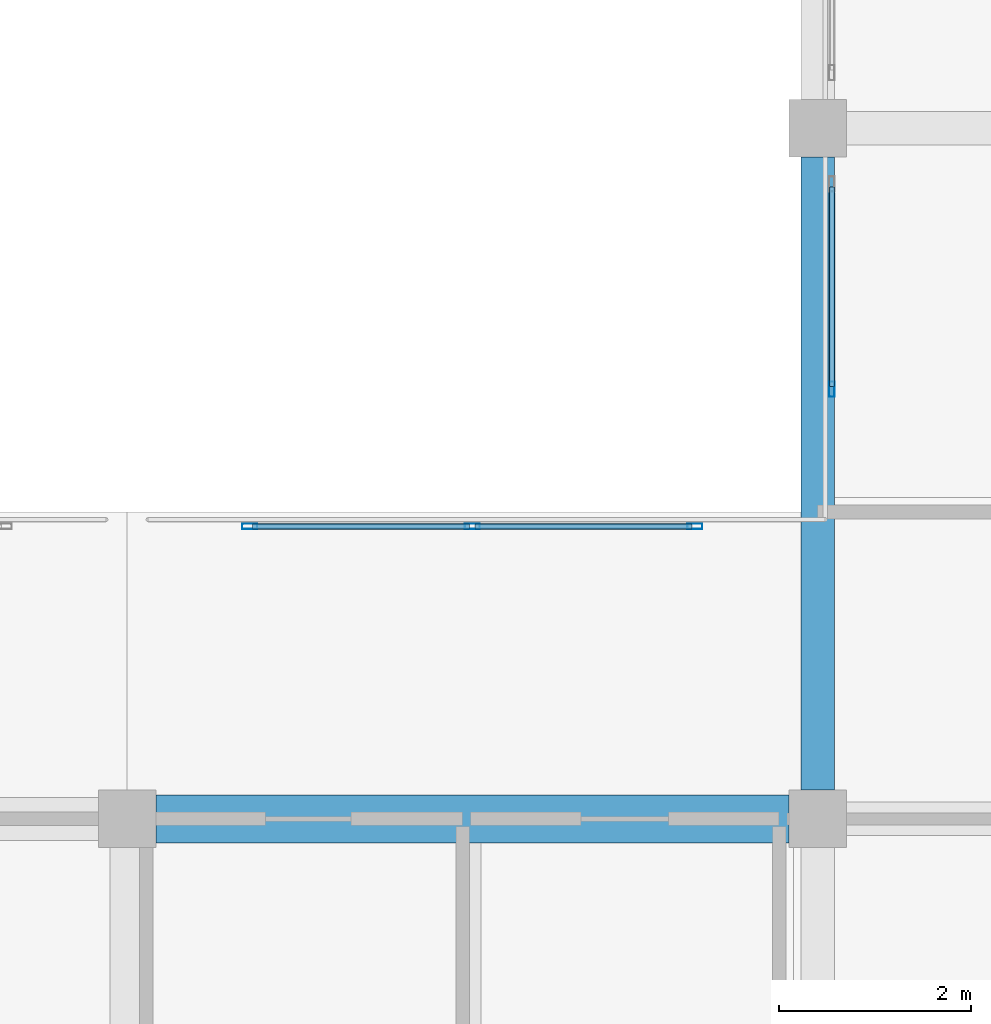
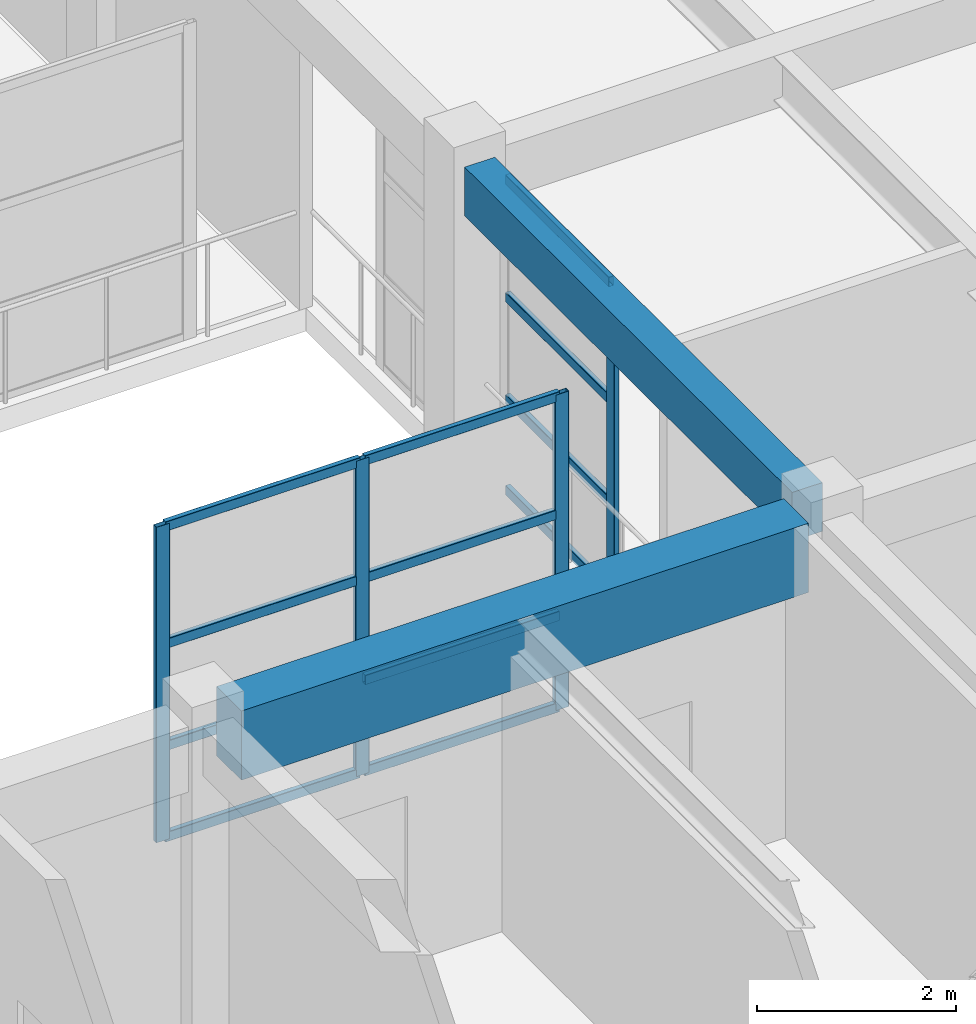
# One storey, part 16 of 49: 16 members, 2 beams, 2 elements without a shape of their own.
"""IFC4 building model written with IfcOpenShell, lengths in metres."""

from ifc_helpers import new_model, si_unit, direction, frame, origin, origin_2d, place, context, subcontext, project, spatial, rectangle, hollow_rectangle, extrude, material, material_profile, profile_set, type_object, element, aggregate, save


model = new_model("IFC4")

# Units and contexts
model_context = context("Model", 3, precision=1e-05, world=origin(), true_north=direction((0.0, 1.0)))
body_context = subcontext(model_context, "Body", "Model", "MODEL_VIEW")
ifc_project = project(units=[si_unit("LENGTHUNIT", "METRE"), si_unit("AREAUNIT", "SQUARE_METRE"), si_unit("VOLUMEUNIT", "CUBIC_METRE"), si_unit("PLANEANGLEUNIT", "RADIAN"), si_unit("MASSUNIT", "GRAM", prefix="KILO")], contexts=[model_context])

# Site, building, storey
site_placement = place(None, origin())
site = spatial("IfcSite", under=ifc_project, at=site_placement, CompositionType="ELEMENT")
building_placement = place(site_placement, origin())
building = spatial("IfcBuilding", under=site, at=building_placement, Name="Bramveld Media Centre", CompositionType="ELEMENT")
storey_placement = place(building_placement, frame((0.0, 0.0, 9.60009765625)))
storey = spatial("IfcBuildingStorey", under=building, at=storey_placement, Name="L02", CompositionType="ELEMENT", Elevation=9.60009765625)

# Beams
ifc_material_1 = material(Name="Concrete C40/50", Category="concrete")
ifc_material_profile_1 = material_profile(ifc_material_1, rectangle(XDim=0.35009765625, YDim=0.60009765625, at=origin_2d()), Name="RC 350x600")
ifc_profile_set_1 = profile_set([ifc_material_profile_1], Name="Concrete C40/50")
beam_type_1 = type_object("IfcBeamType", Name="BM-INT-RC-350x600", PredefinedType="BEAM", material=ifc_profile_set_1)
beam_1_placement = place(storey_placement, frame((94.39990234375, 97.89990234375, 3.619873046875), z_axis=(0.0, 1.0, 0.0), x_axis=(-1.0, 0.0, 0.0)))
element("IfcBeam", 1, at=beam_1_placement, inside=storey, type_object=beam_type_1, Name="V6 L02 girder Y-1105", PredefinedType="BEAM", context=body_context, shape_type="SweptSolid", body=[
    extrude(rectangle(XDim=0.35009765625, YDim=0.60009765625, at=origin_2d()), origin(), (0.0, 0.0, 1.0), 6.60009765625),
])
ifc_material_2 = material(Name="Concrete C40/50", Category="concrete")
ifc_material_profile_2 = material_profile(ifc_material_2, rectangle(XDim=0.5, YDim=0.85009765625, at=origin_2d()), Name="RC 500x850")
ifc_profile_set_2 = profile_set([ifc_material_profile_2], Name="Concrete C40/50")
beam_type_2 = type_object("IfcBeamType", Name="BM-INT-RC-500x850", PredefinedType="BEAM", material=ifc_profile_set_2)
beam_2_placement = place(storey_placement, frame((87.5, 97.60009765625, 3.494873046875), z_axis=(1.0, 0.0, 0.0), x_axis=(0.0, 1.0, 0.0)))
element("IfcBeam", 2, at=beam_2_placement, inside=storey, type_object=beam_type_2, Name="V6 L02 girder X-1073", PredefinedType="BEAM", context=body_context, shape_type="SweptSolid", body=[
    extrude(rectangle(XDim=0.5, YDim=0.85009765625, at=origin_2d()), origin(), (0.0, 0.0, 1.0), 6.60009765625),
])

# Curtain wall, members
ifc_material_3 = material(Name="Thermally broken anodized bronze aluminium unitized curtain wall with solar-control triple glazing", Category="aluminium")
curtain_wall_type_1 = type_object("IfcCurtainWallType", Name="CW-ATR-4700x3880", PredefinedType="NOTDEFINED", material=ifc_material_3)
curtain_wall_1_placement = place(storey_placement, origin())
curtain_wall_1 = element("IfcCurtainWall", 3, at=curtain_wall_1_placement, inside=storey, type_object=curtain_wall_type_1, Name="V6 L02 atrium acoustic screen S2-1", PredefinedType="NOTDEFINED")
ifc_material_4 = material(Name="Thermally broken anodized bronze aluminium EN AW-6063 T6 curtain-wall framing", Category="aluminium")
ifc_material_profile_3 = material_profile(ifc_material_4, hollow_rectangle(XDim=0.06005859375, YDim=0.159912109375, WallThickness=0.00390625, InnerFilletRadius=0.00390625, OuterFilletRadius=0.008056640625, at=origin_2d()), Name="AL-MULL 60x160")
ifc_profile_set_3 = profile_set([ifc_material_profile_3], Name="Thermally broken anodized bronze aluminium EN AW-6063 T6 curtain-wall framing")
member_type_1 = type_object("IfcMemberType", Name="CW-MULL-INT", PredefinedType="MULLION", material=ifc_profile_set_3)
member_1_placement = place(storey_placement, frame((88.47998046875, 100.64990234375, 0.0), z_axis=(0.0, 0.0, 1.0), x_axis=(0.0, 1.0, 0.0)))
member_1 = element("IfcMember", 4, at=member_1_placement, type_object=member_type_1, Name="CW-AT-4738 mullion 1", PredefinedType="MULLION", context=body_context, shape_type="SweptSolid", body=[
    extrude(hollow_rectangle(XDim=0.06005859375, YDim=0.159912109375, WallThickness=0.00390625, InnerFilletRadius=0.00390625, OuterFilletRadius=0.008056640625, at=origin_2d()), origin(), (0.0, 0.0, 1.0), 3.8798828125),
])
member_2_placement = place(storey_placement, frame((90.800048828125, 100.64990234375, 0.0), z_axis=(0.0, 0.0, 1.0), x_axis=(0.0, 1.0, 0.0)))
member_2 = element("IfcMember", 5, at=member_2_placement, type_object=member_type_1, Name="CW-AT-4738 mullion 2", PredefinedType="MULLION", context=body_context, shape_type="SweptSolid", body=[
    extrude(hollow_rectangle(XDim=0.06005859375, YDim=0.159912109375, WallThickness=0.00390625, InnerFilletRadius=0.00390625, OuterFilletRadius=0.008056640625, at=origin_2d()), origin(), (0.0, 0.0, 1.0), 3.8798828125),
])
member_3_placement = place(storey_placement, frame((93.1201171875, 100.64990234375, 0.0), z_axis=(0.0, 0.0, 1.0), x_axis=(0.0, 1.0, 0.0)))
member_3 = element("IfcMember", 6, at=member_3_placement, type_object=member_type_1, Name="CW-AT-4738 mullion 3", PredefinedType="MULLION", context=body_context, shape_type="SweptSolid", body=[
    extrude(hollow_rectangle(XDim=0.06005859375, YDim=0.159912109375, WallThickness=0.00390625, InnerFilletRadius=0.00390625, OuterFilletRadius=0.008056640625, at=origin_2d()), origin(), (0.0, 0.0, 1.0), 3.8798828125),
])

# Curtain wall, member
ifc_material_5 = material(Name="Thermally broken anodized bronze aluminium unitized curtain wall with solar-control triple glazing", Category="aluminium")
curtain_wall_type_2 = type_object("IfcCurtainWallType", Name="CW-ATR-2200x3880", PredefinedType="NOTDEFINED", material=ifc_material_5)
curtain_wall_2_placement = place(storey_placement, origin())
curtain_wall_2 = element("IfcCurtainWall", 7, at=curtain_wall_2_placement, inside=storey, type_object=curtain_wall_type_2, Name="V6 L02 atrium acoustic screen E-1", PredefinedType="NOTDEFINED")
member_4_placement = place(storey_placement, frame((94.550048828125, 102.080078125, 0.0), z_axis=(0.0, 0.0, 1.0), x_axis=(-1.0, 0.0, 0.0)))
member_4 = element("IfcMember", 8, at=member_4_placement, type_object=member_type_1, Name="CW-AT-2238 mullion 1", PredefinedType="MULLION", context=body_context, shape_type="SweptSolid", body=[
    extrude(hollow_rectangle(XDim=0.06005859375, YDim=0.159912109375, WallThickness=0.00390625, InnerFilletRadius=0.00390625, OuterFilletRadius=0.008056640625, at=origin_2d()), origin(), (0.0, 0.0, 1.0), 3.8798828125),
])

# Member
ifc_material_6 = material(Name="Thermally broken anodized bronze aluminium EN AW-6063 T6 curtain-wall framing", Category="aluminium")
ifc_material_profile_4 = material_profile(ifc_material_6, hollow_rectangle(XDim=0.06005859375, YDim=0.1201171875, WallThickness=0.00341796875, InnerFilletRadius=0.00341796875, OuterFilletRadius=0.007080078125, at=origin_2d()), Name="AL-TRAN 60x120")
ifc_profile_set_4 = profile_set([ifc_material_profile_4], Name="Thermally broken anodized bronze aluminium EN AW-6063 T6 curtain-wall framing")
member_type_2 = type_object("IfcMemberType", Name="CW-TRAN-INT", PredefinedType="USERDEFINED", material=ifc_profile_set_4)
member_5_placement = place(storey_placement, frame((88.510009765625, 100.64990234375, 0.02978515625), z_axis=(1.0, 0.0, 0.0), x_axis=(0.0, 1.0, 0.0)))
member_5 = element("IfcMember", 9, at=member_5_placement, type_object=member_type_2, Name="CW-AT-4738 transom 1.1", ObjectType="TRANSOM", PredefinedType="USERDEFINED", context=body_context, shape_type="SweptSolid", body=[
    extrude(hollow_rectangle(XDim=0.06005859375, YDim=0.1201171875, WallThickness=0.00341796875, InnerFilletRadius=0.00341796875, OuterFilletRadius=0.007080078125, at=origin_2d()), origin(), (0.0, 0.0, 1.0), 2.260009765625),
])

member_6_placement = place(storey_placement, frame((88.510009765625, 100.64990234375, 1.14990234375), z_axis=(1.0, 0.0, 0.0), x_axis=(0.0, 1.0, 0.0)))
member_6 = element("IfcMember", 10, at=member_6_placement, type_object=member_type_2, Name="CW-AT-4738 transom 1.2", ObjectType="TRANSOM", PredefinedType="USERDEFINED", context=body_context, shape_type="SweptSolid", body=[
    extrude(hollow_rectangle(XDim=0.06005859375, YDim=0.1201171875, WallThickness=0.00341796875, InnerFilletRadius=0.00341796875, OuterFilletRadius=0.007080078125, at=origin_2d()), origin(), (0.0, 0.0, 1.0), 2.260009765625),
])

member_7_placement = place(storey_placement, frame((88.510009765625, 100.64990234375, 2.406005859375), z_axis=(1.0, 0.0, 0.0), x_axis=(0.0, 1.0, 0.0)))
member_7 = element("IfcMember", 11, at=member_7_placement, type_object=member_type_2, Name="CW-AT-4738 transom 1.3", ObjectType="TRANSOM", PredefinedType="USERDEFINED", context=body_context, shape_type="SweptSolid", body=[
    extrude(hollow_rectangle(XDim=0.06005859375, YDim=0.1201171875, WallThickness=0.00341796875, InnerFilletRadius=0.00341796875, OuterFilletRadius=0.007080078125, at=origin_2d()), origin(), (0.0, 0.0, 1.0), 2.260009765625),
])

member_8_placement = place(storey_placement, frame((88.510009765625, 100.64990234375, 3.849853515625), z_axis=(1.0, 0.0, 0.0), x_axis=(0.0, 1.0, 0.0)))
member_8 = element("IfcMember", 12, at=member_8_placement, type_object=member_type_2, Name="CW-AT-4738 transom 1.4", ObjectType="TRANSOM", PredefinedType="USERDEFINED", context=body_context, shape_type="SweptSolid", body=[
    extrude(hollow_rectangle(XDim=0.06005859375, YDim=0.1201171875, WallThickness=0.00341796875, InnerFilletRadius=0.00341796875, OuterFilletRadius=0.007080078125, at=origin_2d()), origin(), (0.0, 0.0, 1.0), 2.260009765625),
])

member_9_placement = place(storey_placement, frame((90.830078125, 100.64990234375, 0.02978515625), z_axis=(1.0, 0.0, 0.0), x_axis=(0.0, 1.0, 0.0)))
member_9 = element("IfcMember", 13, at=member_9_placement, type_object=member_type_2, Name="CW-AT-4738 transom 2.1", ObjectType="TRANSOM", PredefinedType="USERDEFINED", context=body_context, shape_type="SweptSolid", body=[
    extrude(hollow_rectangle(XDim=0.06005859375, YDim=0.1201171875, WallThickness=0.00341796875, InnerFilletRadius=0.00341796875, OuterFilletRadius=0.007080078125, at=origin_2d()), origin(), (0.0, 0.0, 1.0), 2.260009765625),
])

member_10_placement = place(storey_placement, frame((90.830078125, 100.64990234375, 1.14990234375), z_axis=(1.0, 0.0, 0.0), x_axis=(0.0, 1.0, 0.0)))
member_10 = element("IfcMember", 14, at=member_10_placement, type_object=member_type_2, Name="CW-AT-4738 transom 2.2", ObjectType="TRANSOM", PredefinedType="USERDEFINED", context=body_context, shape_type="SweptSolid", body=[
    extrude(hollow_rectangle(XDim=0.06005859375, YDim=0.1201171875, WallThickness=0.00341796875, InnerFilletRadius=0.00341796875, OuterFilletRadius=0.007080078125, at=origin_2d()), origin(), (0.0, 0.0, 1.0), 2.260009765625),
])

member_11_placement = place(storey_placement, frame((90.830078125, 100.64990234375, 2.406005859375), z_axis=(1.0, 0.0, 0.0), x_axis=(0.0, 1.0, 0.0)))
member_11 = element("IfcMember", 15, at=member_11_placement, type_object=member_type_2, Name="CW-AT-4738 transom 2.3", ObjectType="TRANSOM", PredefinedType="USERDEFINED", context=body_context, shape_type="SweptSolid", body=[
    extrude(hollow_rectangle(XDim=0.06005859375, YDim=0.1201171875, WallThickness=0.00341796875, InnerFilletRadius=0.00341796875, OuterFilletRadius=0.007080078125, at=origin_2d()), origin(), (0.0, 0.0, 1.0), 2.260009765625),
])

member_12_placement = place(storey_placement, frame((90.830078125, 100.64990234375, 3.849853515625), z_axis=(1.0, 0.0, 0.0), x_axis=(0.0, 1.0, 0.0)))
member_12 = element("IfcMember", 16, at=member_12_placement, type_object=member_type_2, Name="CW-AT-4738 transom 2.4", ObjectType="TRANSOM", PredefinedType="USERDEFINED", context=body_context, shape_type="SweptSolid", body=[
    extrude(hollow_rectangle(XDim=0.06005859375, YDim=0.1201171875, WallThickness=0.00341796875, InnerFilletRadius=0.00341796875, OuterFilletRadius=0.007080078125, at=origin_2d()), origin(), (0.0, 0.0, 1.0), 2.260009765625),
])

aggregate(curtain_wall_1, [member_1, member_2, member_3, member_5, member_6, member_7, member_8, member_9, member_10, member_11, member_12])

member_13_placement = place(storey_placement, frame((94.550048828125, 102.110107421875, 0.02978515625), z_axis=(0.0, 1.0, 0.0), x_axis=(-1.0, 0.0, 0.0)))
member_13 = element("IfcMember", 17, at=member_13_placement, type_object=member_type_2, Name="CW-AT-2238 transom 1.1", ObjectType="TRANSOM", PredefinedType="USERDEFINED", context=body_context, shape_type="SweptSolid", body=[
    extrude(hollow_rectangle(XDim=0.06005859375, YDim=0.1201171875, WallThickness=0.00341796875, InnerFilletRadius=0.00341796875, OuterFilletRadius=0.007080078125, at=origin_2d()), origin(), (0.0, 0.0, 1.0), 2.079833984375),
])

member_14_placement = place(storey_placement, frame((94.550048828125, 102.110107421875, 1.14990234375), z_axis=(0.0, 1.0, 0.0), x_axis=(-1.0, 0.0, 0.0)))
member_14 = element("IfcMember", 18, at=member_14_placement, type_object=member_type_2, Name="CW-AT-2238 transom 1.2", ObjectType="TRANSOM", PredefinedType="USERDEFINED", context=body_context, shape_type="SweptSolid", body=[
    extrude(hollow_rectangle(XDim=0.06005859375, YDim=0.1201171875, WallThickness=0.00341796875, InnerFilletRadius=0.00341796875, OuterFilletRadius=0.007080078125, at=origin_2d()), origin(), (0.0, 0.0, 1.0), 2.079833984375),
])

member_15_placement = place(storey_placement, frame((94.550048828125, 102.110107421875, 2.406005859375), z_axis=(0.0, 1.0, 0.0), x_axis=(-1.0, 0.0, 0.0)))
member_15 = element("IfcMember", 19, at=member_15_placement, type_object=member_type_2, Name="CW-AT-2238 transom 1.3", ObjectType="TRANSOM", PredefinedType="USERDEFINED", context=body_context, shape_type="SweptSolid", body=[
    extrude(hollow_rectangle(XDim=0.06005859375, YDim=0.1201171875, WallThickness=0.00341796875, InnerFilletRadius=0.00341796875, OuterFilletRadius=0.007080078125, at=origin_2d()), origin(), (0.0, 0.0, 1.0), 2.079833984375),
])

member_16_placement = place(storey_placement, frame((94.550048828125, 102.110107421875, 3.849853515625), z_axis=(0.0, 1.0, 0.0), x_axis=(-1.0, 0.0, 0.0)))
member_16 = element("IfcMember", 20, at=member_16_placement, type_object=member_type_2, Name="CW-AT-2238 transom 1.4", ObjectType="TRANSOM", PredefinedType="USERDEFINED", context=body_context, shape_type="SweptSolid", body=[
    extrude(hollow_rectangle(XDim=0.06005859375, YDim=0.1201171875, WallThickness=0.00341796875, InnerFilletRadius=0.00341796875, OuterFilletRadius=0.007080078125, at=origin_2d()), origin(), (0.0, 0.0, 1.0), 2.079833984375),
])

aggregate(curtain_wall_2, [member_4, member_13, member_14, member_15, member_16])

save(model, "model.ifc")
